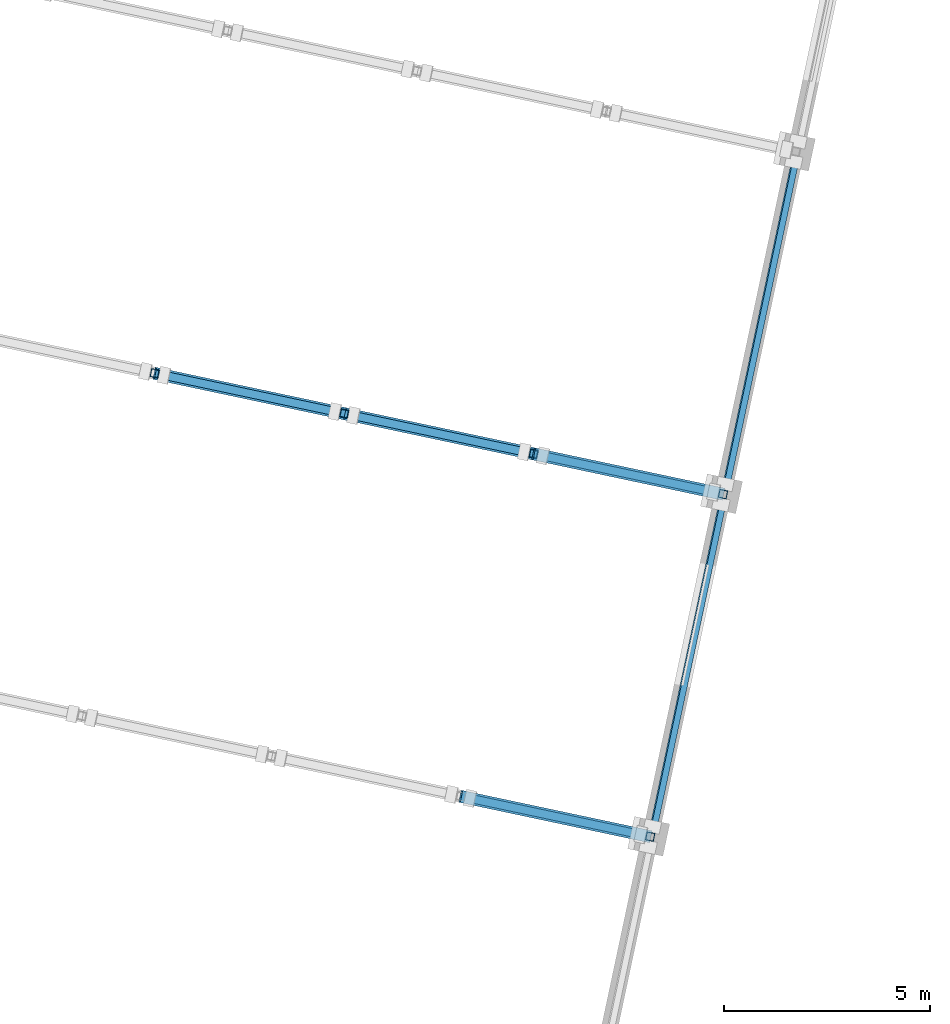
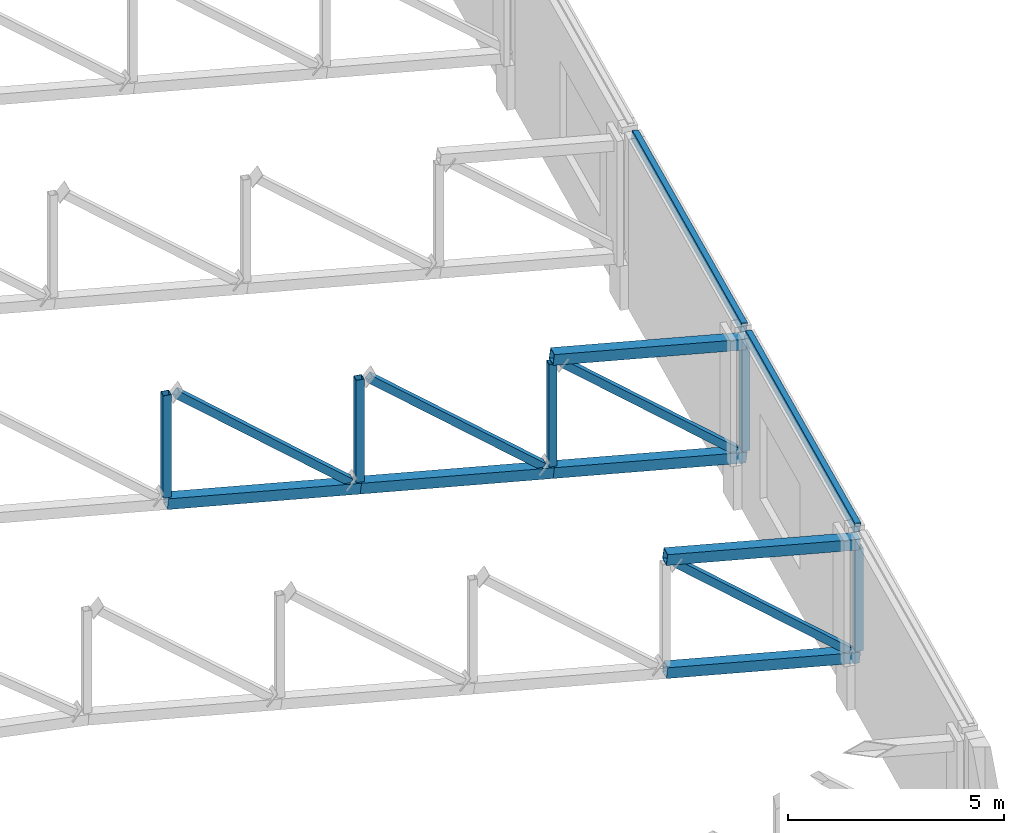
# One storey, part 63 of 182: 17 members.
"""IFC4 building model written with IfcOpenShell, lengths in metres."""

from ifc_helpers import new_model, si_unit, direction, frame, origin, origin_2d, place, context, subcontext, project, spatial, hollow_rectangle, extrude, material, material_profile, profile_set, type_object, element, save


model = new_model("IFC4")

# Units and contexts
model_context = context("Model", 3, precision=1e-05, world=origin(), true_north=direction((0.0, 1.0)))
body_context = subcontext(model_context, "Body", "Model", "MODEL_VIEW")
ifc_project = project(units=[si_unit("LENGTHUNIT", "METRE"), si_unit("AREAUNIT", "SQUARE_METRE"), si_unit("VOLUMEUNIT", "CUBIC_METRE"), si_unit("PLANEANGLEUNIT", "RADIAN"), si_unit("MASSUNIT", "GRAM", prefix="KILO")], contexts=[model_context])

# Site, building, storey
site_placement = place(None, origin())
site = spatial("IfcSite", under=ifc_project, at=site_placement, CompositionType="ELEMENT")
building_placement = place(site_placement, origin())
building = spatial("IfcBuilding", under=site, at=building_placement, Name="Okhra Congress Centre", CompositionType="ELEMENT")
storey_placement = place(building_placement, frame((0.0, 0.0, 7.199951171875)))
storey = spatial("IfcBuildingStorey", under=building, at=storey_placement, Name="L01", CompositionType="ELEMENT", Elevation=7.199951171875)

# Members
ifc_material = material(Name="Steel S355J2", Category="steel")
ifc_material_profile_1 = material_profile(ifc_material, hollow_rectangle(XDim=0.14990234375, YDim=0.25, WallThickness=0.008056640625, at=origin_2d()), Name="RHS 250x150x8")
ifc_profile_set_1 = profile_set([ifc_material_profile_1], Name="Steel S355J2")
member_type_1 = type_object("IfcMemberType", Name="Steel roof purlin RHS 250x150x8", PredefinedType="PURLIN", material=ifc_profile_set_1)
for number, where, z_axis, x_axis, name in (
    (1, (256.948486328125, 92.402099609375, 4.722900390625), (0.207908251916, 0.978148331689, 0.0), (-0.970857362352, 0.206358535333, 0.121869343405), "Roof purlin 2.27"),
    (2, (258.715576171875, 100.71630859375, 4.722900390625), (0.207936738153, 0.978142276423, 0.0), (-0.970851352222, 0.206386809239, 0.121869343405), "Roof purlin 3.27"),
):
    element("IfcMember", number, at=place(storey_placement, frame(where, z_axis=z_axis, x_axis=x_axis)), inside=storey, type_object=member_type_1, Name=name, PredefinedType="PURLIN", context=body_context, shape_type="SweptSolid", body=[
        extrude(hollow_rectangle(XDim=0.14990234375, YDim=0.25, WallThickness=0.008056640625, at=origin_2d()), origin(), (0.0, 0.0, 1.0), 8.199951171875),
    ])
ifc_material_profile_2 = material_profile(ifc_material, hollow_rectangle(XDim=0.300048828125, YDim=0.300048828125, WallThickness=0.01611328125, at=origin_2d()), Name="RHS 300x300x16")
ifc_profile_set_2 = profile_set([ifc_material_profile_2], Name="Steel S355J2")
member_type_2 = type_object("IfcMemberType", Name="Steel truss chord RHS 300x300x16", PredefinedType="CHORD", material=ifc_profile_set_2)
for number, where, z_axis, x_axis, name in (
    (3, (252.287109375, 93.239501953125, 1.8271484375), (0.970851895595, -0.206378850729, -0.121878491912), (0.207928955205, 0.978143930916, 0.0), "Hall truss 2 bottom chord 12"),
    (4, (252.287109375, 93.239501953125, 5.027099609375), (0.970851895595, -0.206378850729, -0.121878491912), (0.207928955205, 0.978143930916, 0.0), "Hall truss 2 top chord 12"),
):
    element("IfcMember", number, at=place(storey_placement, frame(where, z_axis=z_axis, x_axis=x_axis)), inside=storey, type_object=member_type_2, Name=name, PredefinedType="CHORD", context=body_context, shape_type="SweptSolid", body=[
        extrude(hollow_rectangle(XDim=0.300048828125, YDim=0.300048828125, WallThickness=0.01611328125, at=origin_2d()), origin(), (0.0, 0.0, 1.0), 4.7353515625),
    ])
member_1_placement = place(storey_placement, frame((244.85986328125, 103.508056640625, 2.981201171875), z_axis=(0.970855033432, -0.206390477898, -0.121833799469), x_axis=(0.207939520185, 0.978141685005, 0.0)))
element("IfcMember", 5, at=member_1_placement, inside=storey, type_object=member_type_2, Name="Hall truss 3 bottom chord 10", PredefinedType="CHORD", context=body_context, shape_type="SweptSolid", body=[
    extrude(hollow_rectangle(XDim=0.300048828125, YDim=0.300048828125, WallThickness=0.01611328125, at=origin_2d()), origin(), (0.0, 0.0, 1.0), 4.735107421875),
])
member_2_placement = place(storey_placement, frame((249.45703125, 102.53076171875, 2.404296875), z_axis=(0.970862224409, -0.206329489782, -0.121879788567), x_axis=(0.207879256857, 0.978154494223, 0.0)))
element("IfcMember", 6, at=member_2_placement, inside=storey, type_object=member_type_2, Name="Hall truss 3 bottom chord 11", PredefinedType="CHORD", context=body_context, shape_type="SweptSolid", body=[
    extrude(hollow_rectangle(XDim=0.300048828125, YDim=0.300048828125, WallThickness=0.01611328125, at=origin_2d()), origin(), (0.0, 0.0, 1.0), 4.7353515625),
])
for number, where, z_axis, x_axis, name in (
    (7, (254.054443359375, 101.5537109375, 1.8271484375), (0.970848933654, -0.206389181169, -0.121884592627), (0.207939520185, 0.978141685005, 0.0), "Hall truss 3 bottom chord 12"),
    (8, (254.054443359375, 101.5537109375, 5.027099609375), (0.970848933654, -0.206389181169, -0.121884592627), (0.207939520185, 0.978141685005, 0.0), "Hall truss 3 top chord 12"),
):
    element("IfcMember", number, at=place(storey_placement, frame(where, z_axis=z_axis, x_axis=x_axis)), inside=storey, type_object=member_type_2, Name=name, PredefinedType="CHORD", context=body_context, shape_type="SweptSolid", body=[
        extrude(hollow_rectangle(XDim=0.300048828125, YDim=0.300048828125, WallThickness=0.01611328125, at=origin_2d()), origin(), (0.0, 0.0, 1.0), 4.735107421875),
    ])
ifc_material_profile_3 = material_profile(ifc_material, hollow_rectangle(XDim=0.199951171875, YDim=0.199951171875, WallThickness=0.010009765625, at=origin_2d()), Name="RHS 200x200x10 diagonal")
ifc_profile_set_3 = profile_set([ifc_material_profile_3], Name="Steel S355J2")
member_type_3 = type_object("IfcMemberType", Name="Steel truss diagonal RHS 200x200x10", PredefinedType="BRACE", material=ifc_profile_set_3)
member_3_placement = place(storey_placement, frame((252.52099609375, 93.189697265625, 4.835205078125), z_axis=(0.762435509445, -0.162042900175, -0.626445681955), x_axis=(0.207889878307, 0.978152236872, 0.0)))
element("IfcMember", 9, at=member_3_placement, inside=storey, type_object=member_type_3, Name="Hall truss 2 diagonal 12", PredefinedType="BRACE", context=body_context, shape_type="SweptSolid", body=[
    extrude(hollow_rectangle(XDim=0.199951171875, YDim=0.199951171875, WallThickness=0.010009765625, at=origin_2d()), origin(), (0.0, 0.0, 1.0), 5.416259765625),
])
member_4_placement = place(storey_placement, frame((245.093505859375, 103.45849609375, 5.9892578125), z_axis=(0.762448811516, -0.162081220514, -0.626419578059), x_axis=(0.207933444311, 0.978142976633, 0.0)))
element("IfcMember", 10, at=member_4_placement, inside=storey, type_object=member_type_3, Name="Hall truss 3 diagonal 10", PredefinedType="BRACE", context=body_context, shape_type="SweptSolid", body=[
    extrude(hollow_rectangle(XDim=0.199951171875, YDim=0.199951171875, WallThickness=0.010009765625, at=origin_2d()), origin(), (0.0, 0.0, 1.0), 5.41650390625),
])
member_5_placement = place(storey_placement, frame((249.69091796875, 102.481201171875, 5.412109375), z_axis=(0.762451468256, -0.162091367416, -0.62641371885), x_axis=(0.207945205612, 0.978140476344, 0.0)))
element("IfcMember", 11, at=member_5_placement, inside=storey, type_object=member_type_3, Name="Hall truss 3 diagonal 11", PredefinedType="BRACE", context=body_context, shape_type="SweptSolid", body=[
    extrude(hollow_rectangle(XDim=0.199951171875, YDim=0.199951171875, WallThickness=0.010009765625, at=origin_2d()), origin(), (0.0, 0.0, 1.0), 5.416259765625),
])
member_6_placement = place(storey_placement, frame((254.2880859375, 101.50390625, 4.835205078125), z_axis=(0.762454380818, -0.162037331464, -0.626424153736), x_axis=(0.207878119852, 0.978154735861, 0.0)))
element("IfcMember", 12, at=member_6_placement, inside=storey, type_object=member_type_3, Name="Hall truss 3 diagonal 12", PredefinedType="BRACE", context=body_context, shape_type="SweptSolid", body=[
    extrude(hollow_rectangle(XDim=0.199951171875, YDim=0.199951171875, WallThickness=0.010009765625, at=origin_2d()), origin(), (0.0, 0.0, 1.0), 5.41650390625),
])
ifc_material_profile_4 = material_profile(ifc_material, hollow_rectangle(XDim=0.199951171875, YDim=0.199951171875, WallThickness=0.010009765625, at=origin_2d()), Name="RHS 200x200x10")
ifc_profile_set_4 = profile_set([ifc_material_profile_4], Name="Steel S355J2")
member_type_4 = type_object("IfcMemberType", Name="Steel truss post RHS 200x200x10", PredefinedType="POST", material=ifc_profile_set_4)
member_7_placement = place(storey_placement, frame((256.884521484375, 92.26220703125, 1.401123046875), z_axis=(0.0, 0.0, 1.0), x_axis=(0.978147600734, -0.207911690818, 0.0)))
element("IfcMember", 13, at=member_7_placement, inside=storey, type_object=member_type_4, Name="Hall truss 2 post 13", PredefinedType="POST", context=body_context, shape_type="SweptSolid", body=[
    extrude(hollow_rectangle(XDim=0.199951171875, YDim=0.199951171875, WallThickness=0.010009765625, at=origin_2d()), origin(), (0.0, 0.0, 1.0), 2.897705078125),
])
member_8_placement = place(storey_placement, frame((244.85986328125, 103.508056640625, 3.13232421875), z_axis=(0.0, 0.0, 1.0), x_axis=(0.978147600734, -0.207911690818, 0.0)))
element("IfcMember", 14, at=member_8_placement, inside=storey, type_object=member_type_4, Name="Hall truss 3 post 10", PredefinedType="POST", context=body_context, shape_type="SweptSolid", body=[
    extrude(hollow_rectangle(XDim=0.199951171875, YDim=0.199951171875, WallThickness=0.010009765625, at=origin_2d()), origin(), (0.0, 0.0, 1.0), 2.89794921875),
])
for number, where, z_axis, x_axis, name in (
    (15, (249.45703125, 102.53076171875, 2.555419921875), (0.0, 0.0, 1.0), (0.978147600734, -0.207911690818, 0.0), "Hall truss 3 post 11"),
    (16, (254.054443359375, 101.5537109375, 1.978271484375), (0.0, 0.0, 1.0), (0.978147600734, -0.207911690818, 0.0), "Hall truss 3 post 12"),
    (17, (258.651611328125, 100.576416015625, 1.401123046875), (0.0, 0.0, 1.0), (0.978147600734, -0.207911690818, 0.0), "Hall truss 3 post 13"),
):
    element("IfcMember", number, at=place(storey_placement, frame(where, z_axis=z_axis, x_axis=x_axis)), inside=storey, type_object=member_type_4, Name=name, PredefinedType="POST", context=body_context, shape_type="SweptSolid", body=[
        extrude(hollow_rectangle(XDim=0.199951171875, YDim=0.199951171875, WallThickness=0.010009765625, at=origin_2d()), origin(), (0.0, 0.0, 1.0), 2.897705078125),
    ])

save(model, "model.ifc")
